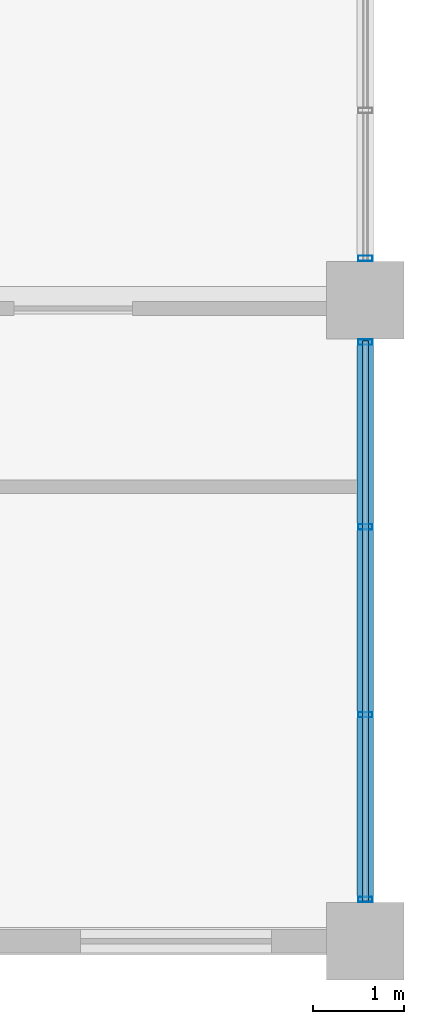
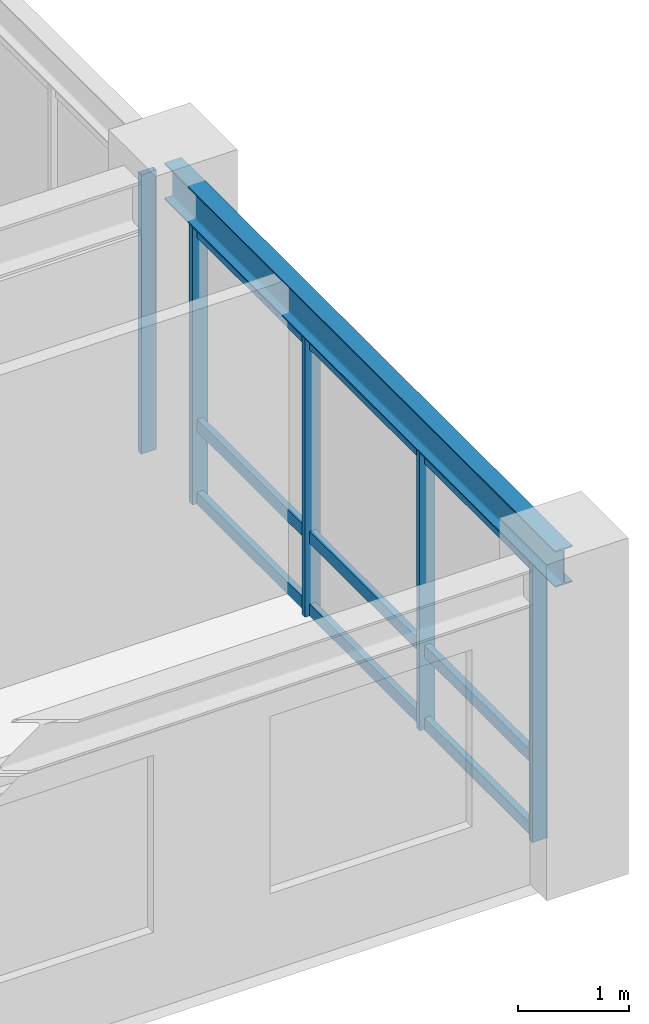
# One storey, part 2 of 11: 8 members, 1 beam, 2 elements without a shape of their own.
"""IFC4 building model written with IfcOpenShell, lengths in metres."""

import ifcopenshell
import ifcopenshell.guid

model = None  # the IFC model being written
_history = None  # IfcOwnerHistory: only IFC2X3 demands one
_inside = {}  # id of a spatial element -> (the spatial element, [elements in it])
_under = {}  # id of a project, library or spatial element -> (it, [spatial elements below it])
_declared = {}  # id of a project -> (the project, [libraries it declares])
_typed = {}  # id of a type object -> (the type object, [elements of that type])
_made_of = {}  # id of a material, layer set ... -> (it, [elements and type objects made of it])


def new_model(schema):
    """Start an empty IFC model of exactly this schema.

    Asked for "IFC4X3", IfcOpenShell would pick the latest addendum, in which some entities
    have other attributes; the version numbers below select the first issue.
    IFC2X3 requires an IfcOwnerHistory on every rooted entity: one is made here for all.
    """
    global model, _history
    if schema == "IFC4X3":
        model = ifcopenshell.file(schema_version=(4, 3, 0, 0))
    else:
        model = ifcopenshell.file(schema=schema)
    _inside.clear()
    _under.clear()
    _declared.clear()
    _typed.clear()
    _made_of.clear()
    _history = None
    if model.schema == "IFC2X3":
        org = make("IfcOrganization", Name="unknown")
        user = make(
            "IfcPersonAndOrganization",
            ThePerson=make("IfcPerson", FamilyName="unknown"),
            TheOrganization=org,
        )
        app = make(
            "IfcApplication",
            ApplicationDeveloper=org,
            Version="unknown",
            ApplicationFullName="unknown",
            ApplicationIdentifier="unknown",
        )
        _history = make(
            "IfcOwnerHistory",
            OwningUser=user,
            OwningApplication=app,
            ChangeAction="ADDED",
            CreationDate=0,
        )
    return model


def make(cls, **values):
    """One entity of the class cls with the attributes given. An attribute that is None is left unset."""
    return model.create_entity(
        cls, **{name: value for name, value in values.items() if value is not None}
    )


def rooted(cls, **values):
    """An entity with a GlobalId (a new one), such as an element, a storey or a relation."""
    return make(cls, GlobalId=ifcopenshell.guid.new(), OwnerHistory=_history, **values)


def si_unit(unit_type, name, prefix=None):
    """IfcSIUnit, for example si_unit("LENGTHUNIT", "METRE", prefix="MILLI")."""
    return make("IfcSIUnit", UnitType=unit_type, Prefix=prefix, Name=name)


def assignment(units):
    """IfcUnitAssignment: the units of a project."""
    return None if units is None else make("IfcUnitAssignment", Units=units)


def point(xyz):
    """IfcCartesianPoint."""
    return None if xyz is None else make("IfcCartesianPoint", Coordinates=xyz)


def direction(xyz):
    """IfcDirection."""
    return None if xyz is None else make("IfcDirection", DirectionRatios=xyz)


def frame(location, z_axis=None, x_axis=None):
    """IfcAxis2Placement3D, a coordinate frame: its origin and axes. An axis left out is left unset."""
    return make(
        "IfcAxis2Placement3D",
        Location=point(location),
        Axis=direction(z_axis),
        RefDirection=direction(x_axis),
    )


def frame_2d(location, x_axis=None):
    """IfcAxis2Placement2D, a coordinate frame in the plane: its origin and x axis."""
    return make(
        "IfcAxis2Placement2D", Location=point(location), RefDirection=direction(x_axis)
    )


def origin():
    """The frame at (0, 0, 0) with its axes left unset."""
    return frame((0.0, 0.0, 0.0))


def origin_2d():
    """The frame at (0, 0) in the plane with its x axis left unset."""
    return frame_2d((0.0, 0.0))


def place(relative_to, where):
    """IfcLocalPlacement: puts the frame where relative to a parent placement (None: the world)."""
    return make(
        "IfcLocalPlacement", PlacementRelTo=relative_to, RelativePlacement=where
    )


def context(
    kind, dimensions, precision=None, world=None, true_north=None, identifier=None
):
    """IfcGeometricRepresentationContext, for example the 3D "Model" context."""
    return make(
        "IfcGeometricRepresentationContext",
        ContextIdentifier=identifier,
        ContextType=kind,
        CoordinateSpaceDimension=dimensions,
        Precision=precision,
        WorldCoordinateSystem=world,
        TrueNorth=true_north,
    )


def subcontext(parent, identifier, kind, view, scale=None):
    """IfcGeometricRepresentationSubContext, for example "Body" below "Model"."""
    return make(
        "IfcGeometricRepresentationSubContext",
        ContextIdentifier=identifier,
        ContextType=kind,
        ParentContext=parent,
        TargetScale=scale,
        TargetView=view,
    )


def project(units=None, contexts=None):
    """IfcProject with its units and contexts."""
    return rooted(
        "IfcProject",
        Name="project",
        RepresentationContexts=contexts,
        UnitsInContext=assignment(units),
    )


def spatial(cls, under=None, at=None, **own):
    """A site, building, storey or space (cls), placed at a placement, below another one or the project."""
    s = rooted(cls, ObjectPlacement=at, **own)
    if under is not None:
        _under.setdefault(under.id(), (under, []))[1].append(s)
    return s


def profile(cls, at=None, kind="AREA", **sizes):
    """A parametric profile (cls). Its sizes go by their IFC names, for example OverallWidth=200.0."""
    return make(cls, ProfileType=kind, Position=at, **sizes)


def hollow_rectangle(**sizes):
    """IfcRectangleHollowProfileDef."""
    return profile("IfcRectangleHollowProfileDef", **sizes)


def i_section(**sizes):
    """IfcIShapeProfileDef."""
    return profile("IfcIShapeProfileDef", **sizes)


def extrude(swept, where, along, depth):
    """IfcExtrudedAreaSolid: the profile swept, set in the frame where, extruded along a direction by depth."""
    return make(
        "IfcExtrudedAreaSolid",
        SweptArea=swept,
        Position=where,
        ExtrudedDirection=direction(along),
        Depth=depth,
    )


def shape(context_of_items, identifier, shape_type, items):
    """IfcShapeRepresentation: the items that make up one representation, for example the "Body"."""
    return make(
        "IfcShapeRepresentation",
        ContextOfItems=context_of_items,
        RepresentationIdentifier=identifier,
        RepresentationType=shape_type,
        Items=items,
    )


def source(mapping_origin, context_of_items, identifier, shape_type, items):
    """IfcRepresentationMap: a shape defined once, which mapped items show again and again."""
    return make(
        "IfcRepresentationMap",
        MappingOrigin=mapping_origin,
        MappedRepresentation=shape(context_of_items, identifier, shape_type, items),
    )


def transform(
    local_origin,
    x_axis=None,
    y_axis=None,
    z_axis=None,
    scale=None,
    scale2=None,
    scale3=None,
    uniform=True,
):
    """IfcCartesianTransformationOperator3D, or its non-uniform kind. x_axis, y_axis, z_axis: its Axis1, 2, 3."""
    if uniform:
        return make(
            "IfcCartesianTransformationOperator3D",
            Axis1=direction(x_axis),
            Axis2=direction(y_axis),
            LocalOrigin=point(local_origin),
            Scale=scale,
            Axis3=direction(z_axis),
        )
    return make(
        "IfcCartesianTransformationOperator3DnonUniform",
        Axis1=direction(x_axis),
        Axis2=direction(y_axis),
        LocalOrigin=point(local_origin),
        Scale=scale,
        Axis3=direction(z_axis),
        Scale2=scale2,
        Scale3=scale3,
    )


def mapped(mapping_source, mapping_target):
    """IfcMappedItem: shows the shape of a source again, moved by a transform."""
    return make(
        "IfcMappedItem", MappingSource=mapping_source, MappingTarget=mapping_target
    )


def material(Name=None, Category=None):
    """IfcMaterial."""
    return make("IfcMaterial", Name=Name, Category=Category)


def layer(
    of_material, thickness, ventilated=None, Name=None, Category=None, Priority=None
):
    """IfcMaterialLayer: one layer of a wall or slab, of a material (None: an air gap)."""
    return make(
        "IfcMaterialLayer",
        Material=of_material,
        LayerThickness=thickness,
        IsVentilated=ventilated,
        Name=Name,
        Category=Category,
        Priority=Priority,
    )


def layer_set(layers, Name=None):
    """IfcMaterialLayerSet."""
    return make("IfcMaterialLayerSet", MaterialLayers=layers, LayerSetName=Name)


def material_profile(
    of_material, cross_section, Name=None, Category=None, Priority=None
):
    """IfcMaterialProfile: a cross section and its material."""
    return make(
        "IfcMaterialProfile",
        Name=Name,
        Material=of_material,
        Profile=cross_section,
        Priority=Priority,
        Category=Category,
    )


def profile_set(profiles, Name=None, composite=None):
    """IfcMaterialProfileSet."""
    return make(
        "IfcMaterialProfileSet",
        Name=Name,
        MaterialProfiles=profiles,
        CompositeProfile=composite,
    )


def made_of(thing, what):
    """Note that an element or type object is made of a material, layer set ...; save() writes the relation."""
    if what is not None:
        _made_of.setdefault(what.id(), (what, []))[1].append(thing)
    return thing


def type_object(cls, material=None, **own):
    """A type object (cls), such as IfcWallType, which elements share."""
    return made_of(rooted(cls, **own), material)


def element(
    cls,
    number,
    at=None,
    inside=None,
    cuts=None,
    type_object=None,
    material=None,
    context=None,
    identifier="Body",
    shape_type=None,
    held_by="IfcProductDefinitionShape",
    body=None,
    shapes=None,
    **own,
):
    """One element of the class cls, such as IfcWall. Its Tag is "e" and its number.

    at: its placement. inside: the storey or other place that contains it. cuts: it is an
    opening in that element (IfcRelVoidsElement). A single representation is given by context,
    identifier, shape_type and body (its items); several are given by shapes. held_by: the class
    of the entity that holds the representations. save() writes the other relations.
    """
    e = rooted(cls, Tag="e%d" % number, ObjectPlacement=at, **own)
    if body is not None:
        shapes = [shape(context, identifier, shape_type, body)]
    if shapes is not None:
        e.Representation = make(held_by, Representations=shapes)
    if inside is not None:
        _inside.setdefault(inside.id(), (inside, []))[1].append(e)
    if cuts is not None:
        rooted(
            "IfcRelVoidsElement", RelatingBuildingElement=cuts, RelatedOpeningElement=e
        )
    if type_object is not None:
        _typed.setdefault(type_object.id(), (type_object, []))[1].append(e)
    return made_of(e, material)


def aggregate(whole, parts):
    """IfcRelAggregates: a whole, such as a stair, and the parts it consists of."""
    return rooted("IfcRelAggregates", RelatingObject=whole, RelatedObjects=parts)


def save(model, path):
    """Write the relations noted so far, then the file.

    IfcRelAggregates (storeys below a building ...), IfcRelContainedInSpatialStructure (elements
    in a storey), IfcRelDefinesByType, IfcRelAssociatesMaterial and IfcRelDeclares: one each for
    every whole, place, type object, material and project.
    """
    for whole, parts in _under.values():
        aggregate(whole, parts)
    for where, things in _inside.values():
        rooted(
            "IfcRelContainedInSpatialStructure",
            RelatedElements=things,
            RelatingStructure=where,
        )
    for kind, things in _typed.values():
        rooted("IfcRelDefinesByType", RelatedObjects=things, RelatingType=kind)
    for what, things in _made_of.values():
        rooted("IfcRelAssociatesMaterial", RelatedObjects=things, RelatingMaterial=what)
    for by, libraries in _declared.values():
        rooted("IfcRelDeclares", RelatingContext=by, RelatedDefinitions=libraries)
    model.write(path)


model = new_model("IFC4")

# Units and contexts
model_context = context("Model", 3, precision=1e-05, world=origin(), true_north=direction((0.0, 1.0)))
body_context = subcontext(model_context, "Body", "Model", "MODEL_VIEW")
ifc_project = project(units=[si_unit("LENGTHUNIT", "METRE"), si_unit("AREAUNIT", "SQUARE_METRE"), si_unit("VOLUMEUNIT", "CUBIC_METRE"), si_unit("PLANEANGLEUNIT", "RADIAN"), si_unit("MASSUNIT", "GRAM", prefix="KILO")], contexts=[model_context])

# Site, building, storey
site_placement = place(None, origin())
site = spatial("IfcSite", under=ifc_project, at=site_placement, CompositionType="ELEMENT")
building_placement = place(site_placement, origin())
building = spatial("IfcBuilding", under=site, at=building_placement, Name="Kaliganga Portal Commons", CompositionType="ELEMENT")
storey_placement = place(building_placement, frame((0.0, 0.0, 253.60009765625)))
storey = spatial("IfcBuildingStorey", under=building, at=storey_placement, Name="L65", CompositionType="ELEMENT", Elevation=253.60009765625)

# Beam
ifc_material_1 = material(Name="Structural steel S355J2", Category="steel")
ifc_material_profile_1 = material_profile(ifc_material_1, i_section(OverallWidth=0.179931640625, OverallDepth=0.39990234375, WebThickness=0.008544921875, FlangeThickness=0.013427734375, FilletRadius=0.02099609375, at=origin_2d()), Name="IPE 400")
ifc_profile_set_1 = profile_set([ifc_material_profile_1], Name="Structural steel S355J2 wide-flange")
beam_type = type_object("IfcBeamType", Name="BM-FLR-400", PredefinedType="BEAM", material=ifc_profile_set_1)
shared_shape_1 = source(origin(), body_context, "Body", "SweptSolid", [
    extrude(i_section(OverallWidth=0.179931640625, OverallDepth=0.39990234375, WebThickness=0.008544921875, FlangeThickness=0.013427734375, FilletRadius=0.02099609375, at=origin_2d()), origin(), (0.0, 0.0, 1.0), 7.0498046875),
])
beam_placement = place(storey_placement, frame((46.800048828125, 21.60009765625, 3.27490234375), z_axis=(0.0, 1.0, 0.0), x_axis=(-1.0, 0.0, 0.0)))
element("IfcBeam", 1, at=beam_placement, inside=storey, type_object=beam_type, Name="BM G L65 AS468", PredefinedType="BEAM", context=body_context, shape_type="MappedRepresentation", body=[
    mapped(shared_shape_1, transform((0.0, 0.0, 0.0), x_axis=(1.0, 0.0, 0.0), y_axis=(0.0, 1.0, 0.0), z_axis=(0.0, 0.0, 1.0), scale=1.0)),
])

# Curtain wall, members
ifc_material_2 = material(Name="Anodized Aluminium and Laminated Low-E Glass", Category="aluminium")
ifc_layer = layer(ifc_material_2, 0.18994140625)
ifc_layer_set = layer_set([ifc_layer], Name="Anodized Aluminium and Laminated Low-E Glass")
curtain_wall_type = type_object("IfcCurtainWallType", Name="CW-SYS-05", PredefinedType="NOTDEFINED", material=ifc_layer_set)
curtain_wall_1_placement = place(storey_placement, origin())
curtain_wall_1 = element("IfcCurtainWall", 2, at=curtain_wall_1_placement, inside=storey, type_object=curtain_wall_type, Name="CW 05 L65 P1E01S1", PredefinedType="NOTDEFINED")
ifc_material_3 = material(Name="Dark Bronze Anodized Aluminium", Category="aluminium")
ifc_material_profile_2 = material_profile(ifc_material_3, hollow_rectangle(XDim=0.06005859375, YDim=0.159912109375, WallThickness=0.00341796875, at=origin_2d()), Name="ALU MULL 60x160x3.5")
ifc_profile_set_2 = profile_set([ifc_material_profile_2], Name="Dark Bronze Anodized Aluminium")
member_type_1 = type_object("IfcMemberType", Name="CW-MUL-160", PredefinedType="MULLION", material=ifc_profile_set_2)
shared_shape_2 = source(origin(), body_context, "Body", "SweptSolid", [
    extrude(hollow_rectangle(XDim=0.06005859375, YDim=0.159912109375, WallThickness=0.00341796875, at=origin_2d()), origin(), (0.0, 0.0, 1.0), 3.074951171875),
])
member_1_placement = place(storey_placement, frame((46.800048828125, 22.06103515625, 0.0), z_axis=(0.0, 0.0, 1.0), x_axis=(0.0, 1.0, 0.0)))
member_1 = element("IfcMember", 3, at=member_1_placement, type_object=member_type_1, Name="CW:05:L65:P1E01S1 Mullion 00", PredefinedType="MULLION", context=body_context, shape_type="MappedRepresentation", body=[
    mapped(shared_shape_2, transform((0.0, 0.0, 0.0), x_axis=(1.0, 0.0, 0.0), y_axis=(0.0, 1.0, 0.0), z_axis=(0.0, 0.0, 1.0), scale=1.0)),
])
member_2_placement = place(storey_placement, frame((46.800048828125, 24.092041015625, 0.0), z_axis=(0.0, 0.0, 1.0), x_axis=(0.0, 1.0, 0.0)))
member_2 = element("IfcMember", 4, at=member_2_placement, type_object=member_type_1, Name="CW:05:L65:P1E01S1 Mullion 01", PredefinedType="MULLION", context=body_context, shape_type="MappedRepresentation", body=[
    mapped(shared_shape_2, transform((0.0, 0.0, 0.0), x_axis=(1.0, 0.0, 0.0), y_axis=(0.0, 1.0, 0.0), z_axis=(0.0, 0.0, 1.0), scale=1.0)),
])
member_3_placement = place(storey_placement, frame((46.800048828125, 26.157958984375, 0.0), z_axis=(0.0, 0.0, 1.0), x_axis=(0.0, 1.0, 0.0)))
member_3 = element("IfcMember", 5, at=member_3_placement, type_object=member_type_1, Name="CW:05:L65:P1E01S1 Mullion 02", PredefinedType="MULLION", context=body_context, shape_type="MappedRepresentation", body=[
    mapped(shared_shape_2, transform((0.0, 0.0, 0.0), x_axis=(1.0, 0.0, 0.0), y_axis=(0.0, 1.0, 0.0), z_axis=(0.0, 0.0, 1.0), scale=1.0)),
])
member_4_placement = place(storey_placement, frame((46.800048828125, 28.18896484375, 0.0), z_axis=(0.0, 0.0, 1.0), x_axis=(0.0, 1.0, 0.0)))
member_4 = element("IfcMember", 6, at=member_4_placement, type_object=member_type_1, Name="CW:05:L65:P1E01S1 Mullion 03", PredefinedType="MULLION", context=body_context, shape_type="MappedRepresentation", body=[
    mapped(shared_shape_2, transform((0.0, 0.0, 0.0), x_axis=(1.0, 0.0, 0.0), y_axis=(0.0, 1.0, 0.0), z_axis=(0.0, 0.0, 1.0), scale=1.0)),
])

# Curtain wall, member
curtain_wall_2_placement = place(storey_placement, origin())
curtain_wall_2 = element("IfcCurtainWall", 7, at=curtain_wall_2_placement, inside=storey, type_object=curtain_wall_type, Name="CW 05 L65 P1E01S2", PredefinedType="NOTDEFINED")
member_5_placement = place(storey_placement, frame((46.800048828125, 29.111083984375, 0.0), z_axis=(0.0, 0.0, 1.0), x_axis=(0.0, 1.0, 0.0)))
member_5 = element("IfcMember", 8, at=member_5_placement, type_object=member_type_1, Name="CW:05:L65:P1E01S2 Mullion 00", PredefinedType="MULLION", context=body_context, shape_type="MappedRepresentation", body=[
    mapped(shared_shape_2, transform((0.0, 0.0, 0.0), x_axis=(1.0, 0.0, 0.0), y_axis=(0.0, 1.0, 0.0), z_axis=(0.0, 0.0, 1.0), scale=1.0)),
])
aggregate(curtain_wall_2, [member_5])

# Member
ifc_material_profile_3 = material_profile(ifc_material_3, hollow_rectangle(XDim=0.06494140625, YDim=0.135009765625, WallThickness=0.00341796875, at=origin_2d()), Name="ALU TRAN 65x135x3.5")
ifc_profile_set_3 = profile_set([ifc_material_profile_3], Name="Dark Bronze Anodized Aluminium")
member_type_2 = type_object("IfcMemberType", Name="CW-TRN-135", PredefinedType="USERDEFINED", material=ifc_profile_set_3)
shared_shape_3 = source(origin(), body_context, "Body", "SweptSolid", [
    extrude(hollow_rectangle(XDim=0.06494140625, YDim=0.135009765625, WallThickness=0.00341796875, at=origin_2d()), origin(), (0.0, 0.0, 1.0), 6.158203125),
])
member_6_placement = place(storey_placement, frame((46.800048828125, 22.0458984375, 0.059814453125), z_axis=(0.0, 1.0, 0.0), x_axis=(-1.0, 0.0, 0.0)))
member_6 = element("IfcMember", 9, at=member_6_placement, type_object=member_type_2, Name="CW:05:L65:P1E01S1 Transom 1", ObjectType="TRANSOM", PredefinedType="USERDEFINED", context=body_context, shape_type="MappedRepresentation", body=[
    mapped(shared_shape_3, transform((0.0, 0.0, 0.0), x_axis=(1.0, 0.0, 0.0), y_axis=(0.0, 1.0, 0.0), z_axis=(0.0, 0.0, 1.0), scale=1.0)),
])

member_7_placement = place(storey_placement, frame((46.800048828125, 22.0458984375, 0.86083984375), z_axis=(0.0, 1.0, 0.0), x_axis=(-1.0, 0.0, 0.0)))
member_7 = element("IfcMember", 10, at=member_7_placement, type_object=member_type_2, Name="CW:05:L65:P1E01S1 Transom 2", ObjectType="TRANSOM", PredefinedType="USERDEFINED", context=body_context, shape_type="MappedRepresentation", body=[
    mapped(shared_shape_3, transform((0.0, 0.0, 0.0), x_axis=(1.0, 0.0, 0.0), y_axis=(0.0, 1.0, 0.0), z_axis=(0.0, 0.0, 1.0), scale=1.0)),
])

member_8_placement = place(storey_placement, frame((46.800048828125, 22.0458984375, 2.994873046875), z_axis=(0.0, 1.0, 0.0), x_axis=(-1.0, 0.0, 0.0)))
member_8 = element("IfcMember", 11, at=member_8_placement, type_object=member_type_2, Name="CW:05:L65:P1E01S1 Transom 3", ObjectType="TRANSOM", PredefinedType="USERDEFINED", context=body_context, shape_type="MappedRepresentation", body=[
    mapped(shared_shape_3, transform((0.0, 0.0, 0.0), x_axis=(1.0, 0.0, 0.0), y_axis=(0.0, 1.0, 0.0), z_axis=(0.0, 0.0, 1.0), scale=1.0)),
])

aggregate(curtain_wall_1, [member_1, member_2, member_3, member_4, member_6, member_7, member_8])

save(model, "model.ifc")
